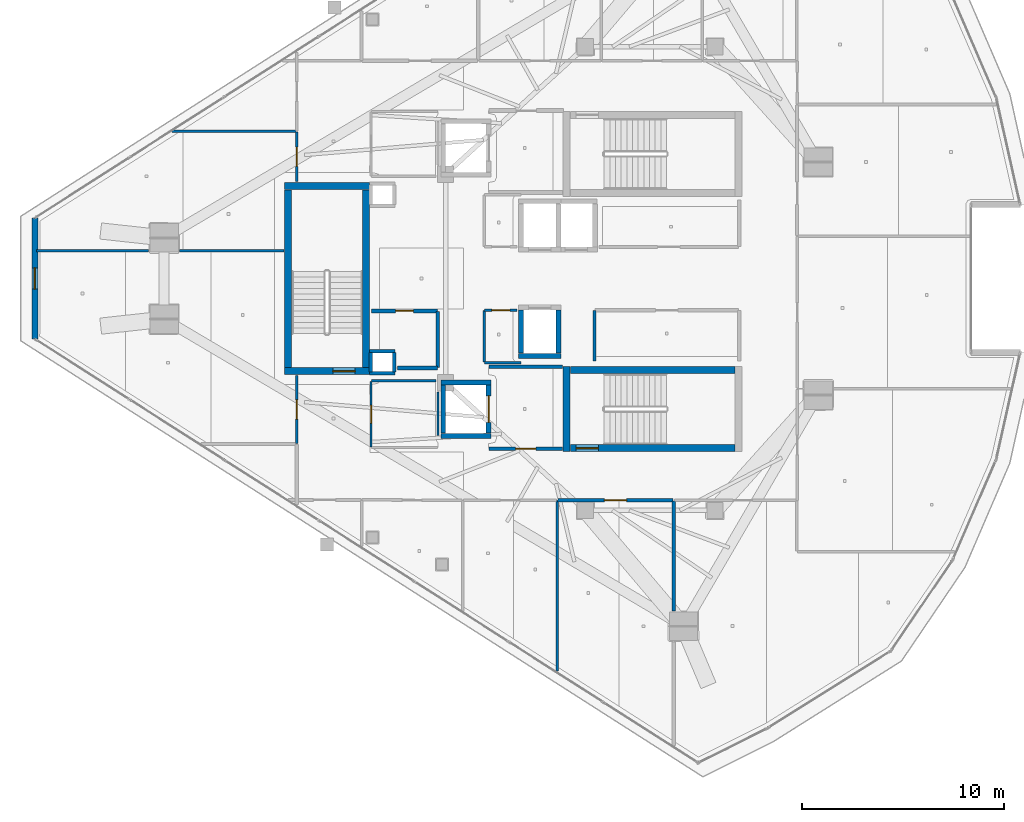
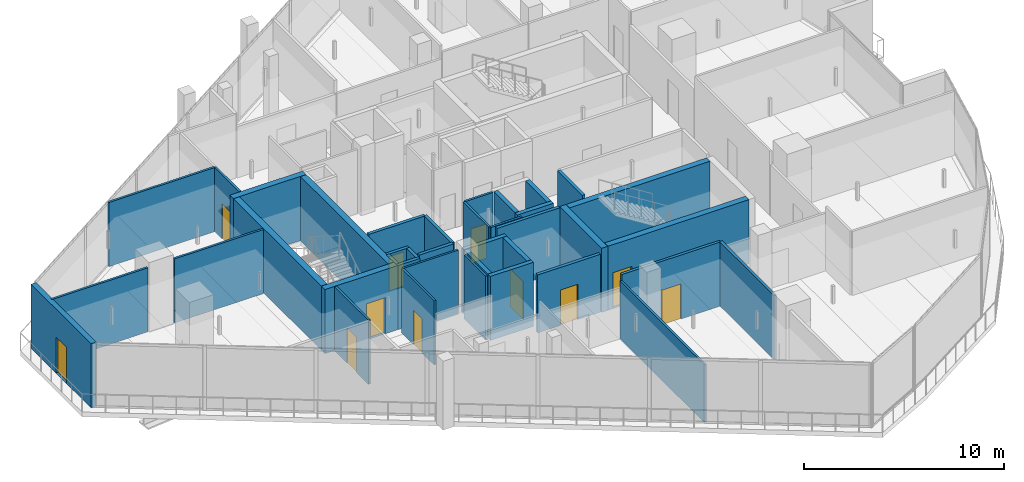
# One storey, part 20 of 29: 39 walls, 11 doors, 11 openings.
"""IFC4 building model written with IfcOpenShell, lengths in metres."""

from ifc_helpers import new_model, si_unit, direction, frame, frame_2d, origin, place, context, subcontext, project, spatial, rectangle, extrude, material, layer, layer_set, type_object, element, fill, save


model = new_model("IFC4")

# Units and contexts
model_context = context("Model", 3, precision=1e-05, world=origin(), true_north=direction((0.0, 1.0)))
body_context = subcontext(model_context, "Body", "Model", "MODEL_VIEW")
ifc_project = project(units=[si_unit("LENGTHUNIT", "METRE"), si_unit("AREAUNIT", "SQUARE_METRE"), si_unit("VOLUMEUNIT", "CUBIC_METRE"), si_unit("PLANEANGLEUNIT", "RADIAN"), si_unit("MASSUNIT", "GRAM", prefix="KILO")], contexts=[model_context])

# Site, building, storey
site_placement = place(None, origin())
site = spatial("IfcSite", under=ifc_project, at=site_placement, CompositionType="ELEMENT")
building_placement = place(site_placement, origin())
building = spatial("IfcBuilding", under=site, at=building_placement, Name="Qorvath Tower", CompositionType="ELEMENT")
storey_placement = place(building_placement, frame((0.0, 0.0, 285.0)))
storey = spatial("IfcBuildingStorey", under=building, at=storey_placement, Name="L66", CompositionType="ELEMENT", Elevation=285.0)

# Walls
ifc_material_1 = material(Name="Gypsum shaftliner on steel studs", Category="steel")
ifc_layer_1 = layer(ifc_material_1, 0.179931640625)
ifc_layer_set_1 = layer_set([ifc_layer_1], Name="FW-LOBBY")
wall_type_1 = type_object("IfcWallType", Name="FW-LOBBY", PredefinedType="PARTITIONING", material=ifc_layer_set_1)
for number, where, z_axis, x_axis, name in (
    (1, (-32.989990234375, -4.675048828125, 0.0), (0.0, 0.0, 1.0), (-1.0, 0.0, 0.0), "MEP Riser Shaft Enclosure Wall S-L66-S"),
    (2, (-34.260009765625, -3.594970703125, 0.0), (0.0, 0.0, 1.0), (1.0, 0.0, 0.0), "MEP Riser Shaft Enclosure Wall S-L66-N"),
):
    element("IfcWall", number, at=place(storey_placement, frame(where, z_axis=z_axis, x_axis=x_axis)), inside=storey, type_object=wall_type_1, Name=name, PredefinedType="PARTITIONING", context=body_context, shape_type="SweptSolid", body=[
        extrude(rectangle(XDim=1.27001953125, YDim=0.179931640625, at=frame_2d((0.635009765625, 0.0))), origin(), (0.0, 0.0, 1.0), 3.909912109375),
    ])
for number, where, z_axis, x_axis, name in (
    (3, (-34.205078125, -4.610107421875, 0.0), (0.0, 0.0, 1.0), (0.0, 1.0, 0.0), "MEP Riser Shaft Enclosure Wall S-L66-W"),
    (4, (-33.044921875, -3.659912109375, 0.0), (0.0, 0.0, 1.0), (0.0, -1.0, 0.0), "MEP Riser Shaft Enclosure Wall S-L66-E"),
):
    element("IfcWall", number, at=place(storey_placement, frame(where, z_axis=z_axis, x_axis=x_axis)), inside=storey, type_object=wall_type_1, Name=name, PredefinedType="PARTITIONING", context=body_context, shape_type="SweptSolid", body=[
        extrude(rectangle(XDim=0.9501953125, YDim=0.179931640625, at=frame_2d((0.47509765625, 0.0))), origin(), (0.0, 0.0, 1.0), 3.909912109375),
    ])

# Wall, opening, door
wall_1_placement = place(storey_placement, frame((-28.35498046875, -8.39990234375, 0.0), z_axis=(0.0, 0.0, 1.0), x_axis=(1.0, 0.0, 0.0)))
wall_1 = element("IfcWall", 5, at=wall_1_placement, inside=storey, type_object=wall_type_1, Name="Interior Partition IW-T1-L66-003", PredefinedType="PARTITIONING", context=body_context, shape_type="SweptSolid", body=[
    extrude(rectangle(XDim=3.6220703125, YDim=0.179931640625, at=frame_2d((1.81103515625, 0.0))), origin(), (0.0, 0.0, 1.0), 3.52880859375),
])
opening_1_placement = place(wall_1_placement, frame((1.31103515625, 0.0, 0.0)))
opening_1 = element("IfcOpeningElement", 6, at=opening_1_placement, cuts=wall_1, Name="Opening D-T1-L66-25", PredefinedType="OPENING", context=body_context, shape_type="SweptSolid", body=[
    extrude(rectangle(XDim=1.0, YDim=2.14990234375, at=frame_2d((0.5, 1.074951171875))), frame((0.0, 0.10009765625, 0.0), z_axis=(0.0, -1.0, 0.0), x_axis=(1.0, 0.0, 0.0)), (0.0, 0.0, 1.0), 0.199951171875),
])
ifc_material_2 = material(Name="Painted galvanised hollow metal", Category="steel")
door_type_1 = type_object("IfcDoorType", Name="FD-60", OperationType="NOTDEFINED", PredefinedType="DOOR", material=ifc_material_2)
door_1_placement = place(opening_1_placement, origin())
door_1 = element("IfcDoor", 7, at=door_1_placement, inside=storey, type_object=door_type_1, Name="Lobby Fire Service Elevator South Door D-T1-L66-25", OperationType="SINGLE_SWING_RIGHT", OverallHeight=2.14990234375, OverallWidth=1.0, PredefinedType="DOOR", context=body_context, shape_type="SweptSolid", body=[
    extrude(rectangle(XDim=1.0, YDim=2.14990234375, at=frame_2d((0.5, 1.074951171875))), frame((0.0, 0.02490234375, 0.0), z_axis=(0.0, -1.0, 0.0), x_axis=(1.0, 0.0, 0.0)), (0.0, 0.0, 1.0), 0.050048828125),
])
fill(opening_1, door_1)

# Walls
wall_2_placement = place(storey_placement, frame((-24.73291015625, -4.35009765625, 0.0), z_axis=(0.0, 0.0, 1.0), x_axis=(-1.0, 0.0, 0.0)))
element("IfcWall", 8, at=wall_2_placement, inside=storey, type_object=wall_type_1, Name="Interior Partition IW-T1-L66-004", PredefinedType="PARTITIONING", context=body_context, shape_type="SweptSolid", body=[
    extrude(rectangle(XDim=3.6220703125, YDim=0.179931640625, at=frame_2d((1.81103515625, 0.0))), origin(), (0.0, 0.0, 1.0), 3.909912109375),
])
wall_3_placement = place(storey_placement, frame((-32.8798828125, -4.419921875, 0.0), z_axis=(0.0, 0.0, 1.0), x_axis=(1.0, 0.0, 0.0)))
element("IfcWall", 9, at=wall_3_placement, inside=storey, type_object=wall_type_1, Name="Interior Partition IW-T1-L66-024", PredefinedType="PARTITIONING", context=body_context, shape_type="SweptSolid", body=[
    extrude(rectangle(XDim=1.97509765625, YDim=0.179931640625, at=frame_2d((0.987548828125, 0.0))), origin(), (0.0, 0.0, 1.0), 3.909912109375),
])
wall_4_placement = place(storey_placement, frame((-30.8798828125, -4.39501953125, 0.0), z_axis=(0.0, 0.0, 1.0), x_axis=(0.0, 1.0, 0.0)))
element("IfcWall", 10, at=wall_4_placement, inside=storey, type_object=wall_type_1, Name="Interior Partition IW-T1-L66-025", PredefinedType="PARTITIONING", context=body_context, shape_type="SweptSolid", body=[
    extrude(rectangle(XDim=2.77001953125, YDim=0.179931640625, at=frame_2d((1.385009765625, 0.0))), origin(), (0.0, 0.0, 1.0), 3.909912109375),
])

# Wall, opening, door
wall_5_placement = place(storey_placement, frame((-30.90478515625, -1.60009765625, 0.0), z_axis=(0.0, 0.0, 1.0), x_axis=(-1.0, 0.0, 0.0)))
wall_5 = element("IfcWall", 11, at=wall_5_placement, inside=storey, type_object=wall_type_1, Name="Interior Partition IW-T1-L66-026", PredefinedType="PARTITIONING", context=body_context, shape_type="SweptSolid", body=[
    extrude(rectangle(XDim=3.25, YDim=0.179931640625, at=frame_2d((1.625, 0.0))), origin(), (0.0, 0.0, 1.0), 3.909912109375),
])
opening_2_placement = place(wall_5_placement, frame((1.18505859375, 0.0, 0.0)))
opening_2 = element("IfcOpeningElement", 12, at=opening_2_placement, cuts=wall_5, Name="Opening D-T1-L66-07", PredefinedType="OPENING", context=body_context, shape_type="SweptSolid", body=[
    extrude(rectangle(XDim=0.8798828125, YDim=2.10009765625, at=frame_2d((0.43994140625, 1.050048828125))), frame((0.0, 0.10009765625, 0.0), z_axis=(0.0, -1.0, 0.0), x_axis=(1.0, 0.0, 0.0)), (0.0, 0.0, 1.0), 0.199951171875),
])
ifc_material_3 = material(Name="Painted galvanised hollow metal", Category="steel")
door_type_2 = type_object("IfcDoorType", Name="FD-60N", OperationType="NOTDEFINED", PredefinedType="DOOR", material=ifc_material_3)
door_2_placement = place(opening_2_placement, origin())
door_2 = element("IfcDoor", 13, at=door_2_placement, inside=storey, type_object=door_type_2, Name="Core cleaner and electrical room L66 Door D-T1-L66-07", OperationType="SINGLE_SWING_RIGHT", OverallHeight=2.10009765625, OverallWidth=0.8798828125, PredefinedType="DOOR", context=body_context, shape_type="SweptSolid", body=[
    extrude(rectangle(XDim=0.8798828125, YDim=2.10009765625, at=frame_2d((0.43994140625, 1.050048828125))), frame((0.0, 0.02490234375, 0.0), z_axis=(0.0, -1.0, 0.0), x_axis=(1.0, 0.0, 0.0)), (0.0, 0.0, 1.0), 0.050048828125),
])
fill(opening_2, door_2)

# Wall
ifc_material_4 = material(Name="Double acoustic gypsum board on steel studs", Category="steel")
ifc_layer_2 = layer(ifc_material_4, 0.159912109375)
ifc_layer_set_2 = layer_set([ifc_layer_2], Name="IW-ACOUSTIC-160")
wall_type_2 = type_object("IfcWallType", Name="IW-ACOUSTIC-160", PredefinedType="PARTITIONING", material=ifc_layer_set_2)
wall_6_placement = place(storey_placement, frame((-23.14990234375, -1.585205078125, 0.0), z_axis=(0.0, 0.0, 1.0), x_axis=(0.0, -1.0, 0.0)))
element("IfcWall", 14, at=wall_6_placement, inside=storey, type_object=wall_type_2, Name="Interior Partition IW-T1-L66-015", PredefinedType="PARTITIONING", context=body_context, shape_type="SweptSolid", body=[
    extrude(rectangle(XDim=2.489990234375, YDim=0.159912109375, at=frame_2d((1.2451171875, 0.0))), origin(), (0.0, 0.0, 1.0), 3.909912109375),
])

# Wall, opening, door
wall_7_placement = place(storey_placement, frame((-19.2578125, -10.951904296875, 0.0), z_axis=(0.0, 0.0, 1.0), x_axis=(-0.999999472273, 0.001027352739, 0.0)))
wall_7 = element("IfcWall", 15, at=wall_7_placement, inside=storey, type_object=wall_type_2, Name="Interior Partition IW-T1-L66-042", PredefinedType="PARTITIONING", context=body_context, shape_type="SweptSolid", body=[
    extrude(rectangle(XDim=5.703369140625, YDim=0.159912109375, at=frame_2d((2.8515625, 0.0))), origin(), (0.0, 0.0, 1.0), 3.909912109375),
])
opening_3_placement = place(wall_7_placement, frame((2.3017578125, 0.0, 0.0)))
opening_3 = element("IfcOpeningElement", 16, at=opening_3_placement, cuts=wall_7, Name="Opening D-T1-L66-14", PredefinedType="OPENING", context=body_context, shape_type="SweptSolid", body=[
    extrude(rectangle(XDim=1.10009765625, YDim=2.14990234375, at=frame_2d((0.550048828125, 1.074951171875))), frame((0.0, 0.08984375, 0.0), z_axis=(0.0, -1.0, 0.0), x_axis=(1.0, 0.0, 0.0)), (0.0, 0.0, 1.0), 0.179931640625),
])
ifc_material_5 = material(Name="Anodised aluminium acoustic framed glass", Category="aluminium")
door_type_3 = type_object("IfcDoorType", Name="D-03", OperationType="NOTDEFINED", PredefinedType="DOOR", material=ifc_material_5)
door_3_placement = place(opening_3_placement, origin())
door_3 = element("IfcDoor", 17, at=door_3_placement, inside=storey, type_object=door_type_3, Name="L66-07 Digital Visualization Suite Door D-T1-L66-14", OperationType="SINGLE_SWING_LEFT", OverallHeight=2.14990234375, OverallWidth=1.10009765625, PredefinedType="DOOR", context=body_context, shape_type="SweptSolid", body=[
    extrude(rectangle(XDim=1.10009765625, YDim=2.14990234375, at=frame_2d((0.550048828125, 1.074951171875))), frame((0.0, 0.02490234375, 0.0), z_axis=(0.0, -1.0, 0.0), x_axis=(1.0, 0.0, 0.0)), (0.0, 0.0, 1.0), 0.050048828125),
])
fill(opening_3, door_3)

# Walls
wall_8_placement = place(storey_placement, frame((-19.232666015625, -16.41064453125, 0.0), z_axis=(0.0, 0.0, 1.0), x_axis=(0.0, 1.0, 0.0)))
element("IfcWall", 18, at=wall_8_placement, inside=storey, type_object=wall_type_2, Name="Interior Partition IW-T1-L66-044", PredefinedType="PARTITIONING", context=body_context, shape_type="SweptSolid", body=[
    extrude(rectangle(XDim=5.433837890625, YDim=0.159912109375, at=frame_2d((2.716796875, 0.0))), origin(), (0.0, 0.0, 1.0), 3.909912109375),
])
ifc_material_6 = material(Name="Gypsum board on metal studs with mineral wool", Category="gypsum")
ifc_layer_3 = layer(ifc_material_6, 0.125)
ifc_layer_set_3 = layer_set([ifc_layer_3], Name="IW-PART-125")
wall_type_3 = type_object("IfcWallType", Name="IW-PART-125", PredefinedType="PARTITIONING", material=ifc_layer_set_3)
wall_9_placement = place(storey_placement, frame((-28.60009765625, -1.585205078125, 0.0), z_axis=(0.0, 0.0, 1.0), x_axis=(0.0, -1.0, 0.0)))
element("IfcWall", 19, at=wall_9_placement, inside=storey, type_object=wall_type_3, Name="Interior Partition IW-T1-L66-021", PredefinedType="PARTITIONING", context=body_context, shape_type="SweptSolid", body=[
    extrude(rectangle(XDim=2.539794921875, YDim=0.125, at=frame_2d((1.27001953125, 0.0))), origin(), (0.0, 0.0, 1.0), 3.909912109375),
])
wall_10_placement = place(storey_placement, frame((-28.5751953125, -4.14990234375, 0.0), z_axis=(0.0, 0.0, 1.0), x_axis=(1.0, 0.0, 0.0)))
element("IfcWall", 20, at=wall_10_placement, inside=storey, type_object=wall_type_3, Name="Interior Partition IW-T1-L66-022", PredefinedType="PARTITIONING", context=body_context, shape_type="SweptSolid", body=[
    extrude(rectangle(XDim=1.80029296875, YDim=0.125, at=frame_2d((0.900146484375, 0.0))), origin(), (0.0, 0.0, 1.0), 3.909912109375),
])

# Wall, opening, door
wall_11_placement = place(storey_placement, frame((-26.966064453125, -1.56005859375, 0.0), z_axis=(0.0, 0.0, 1.0), x_axis=(-1.0, 0.0, 0.0)))
wall_11 = element("IfcWall", 21, at=wall_11_placement, inside=storey, type_object=wall_type_3, Name="Interior Partition IW-T1-L66-023", PredefinedType="PARTITIONING", context=body_context, shape_type="SweptSolid", body=[
    extrude(rectangle(XDim=1.609130859375, YDim=0.125, at=frame_2d((0.8046875, 0.0))), origin(), (0.0, 0.0, 1.0), 3.909912109375),
])
opening_4_placement = place(wall_11_placement, frame((0.364501953125, 0.0, 0.0)))
opening_4 = element("IfcOpeningElement", 22, at=opening_4_placement, cuts=wall_11, Name="Opening D-T1-L66-06", PredefinedType="OPENING", context=body_context, shape_type="SweptSolid", body=[
    extrude(rectangle(XDim=0.8798828125, YDim=2.10009765625, at=frame_2d((0.43994140625, 1.050048828125))), frame((0.0, 0.072509765625, 0.0), z_axis=(0.0, -1.0, 0.0), x_axis=(1.0, 0.0, 0.0)), (0.0, 0.0, 1.0), 0.14501953125),
])
ifc_material_7 = material(Name="Solid-core oak with acoustic drop seal", Category="wood")
door_type_4 = type_object("IfcDoorType", Name="D-02", OperationType="NOTDEFINED", PredefinedType="DOOR", material=ifc_material_7)
door_4_placement = place(opening_4_placement, origin())
door_4 = element("IfcDoor", 23, at=door_4_placement, inside=storey, type_object=door_type_4, Name="L66-RCWS Executive Archive Suite Door D-T1-L66-06", OperationType="SINGLE_SWING_LEFT", OverallHeight=2.10009765625, OverallWidth=0.8798828125, PredefinedType="DOOR", context=body_context, shape_type="SweptSolid", body=[
    extrude(rectangle(XDim=0.8798828125, YDim=2.10009765625, at=frame_2d((0.43994140625, 1.050048828125))), frame((0.0, 0.02490234375, 0.0), z_axis=(0.0, -1.0, 0.0), x_axis=(1.0, 0.0, 0.0)), (0.0, 0.0, 1.0), 0.050048828125),
])
fill(opening_4, door_4)

# Wall
wall_12_placement = place(storey_placement, frame((-24.994140625, -19.393798828125, 0.0), z_axis=(0.0, 0.0, 1.0), x_axis=(0.0, 1.0, 0.0)))
element("IfcWall", 24, at=wall_12_placement, inside=storey, type_object=wall_type_3, Name="Interior Partition IW-T1-L66-041", PredefinedType="PARTITIONING", context=body_context, shape_type="SweptSolid", body=[
    extrude(rectangle(XDim=8.4228515625, YDim=0.125, at=frame_2d((4.21142578125, 0.0))), origin(), (0.0, 0.0, 1.0), 3.52880859375),
])

# Wall, opening, door
wall_13_placement = place(storey_placement, frame((-37.85791015625, -8.144287109375, 0.0), z_axis=(0.0, 0.0, 1.0), x_axis=(0.0, 1.0, 0.0)))
wall_13 = element("IfcWall", 25, at=wall_13_placement, inside=storey, type_object=wall_type_3, Name="Interior Partition IW-T1-L66-058", PredefinedType="PARTITIONING", context=body_context, shape_type="SweptSolid", body=[
    extrude(rectangle(XDim=3.361083984375, YDim=0.125, at=frame_2d((1.6806640625, 0.0))), origin(), (0.0, 0.0, 1.0), 3.909912109375),
])
opening_5_placement = place(wall_13_placement, frame((1.20556640625, 0.0, 0.0)))
opening_5 = element("IfcOpeningElement", 26, at=opening_5_placement, cuts=wall_13, Name="Opening D-T1-L66-21", PredefinedType="OPENING", context=body_context, shape_type="SweptSolid", body=[
    extrude(rectangle(XDim=0.949951171875, YDim=2.14990234375, at=frame_2d((0.47509765625, 1.074951171875))), frame((0.0, 0.072509765625, 0.0), z_axis=(0.0, -1.0, 0.0), x_axis=(1.0, 0.0, 0.0)), (0.0, 0.0, 1.0), 0.14501953125),
])
ifc_material_8 = material(Name="Solid-core American white oak veneer", Category="wood")
door_type_5 = type_object("IfcDoorType", Name="D-01", OperationType="NOTDEFINED", PredefinedType="DOOR", material=ifc_material_8)
door_5_placement = place(opening_5_placement, origin())
door_5 = element("IfcDoor", 27, at=door_5_placement, inside=storey, type_object=door_type_5, Name="L66-14 Project Collaboration Workspace Door D-T1-L66-21", OperationType="SINGLE_SWING_RIGHT", OverallHeight=2.14990234375, OverallWidth=0.949951171875, PredefinedType="DOOR", context=body_context, shape_type="SweptSolid", body=[
    extrude(rectangle(XDim=0.949951171875, YDim=2.14990234375, at=frame_2d((0.47509765625, 1.074951171875))), frame((0.0, 0.02490234375, 0.0), z_axis=(0.0, -1.0, 0.0), x_axis=(1.0, 0.0, 0.0)), (0.0, 0.0, 1.0), 0.050048828125),
])
fill(opening_5, door_5)

# Walls
wall_14_placement = place(storey_placement, frame((-38.492919921875, 1.378662109375, 0.0), z_axis=(0.0, 0.0, 1.0), x_axis=(-0.999999944823, 0.000332194363, 0.0)))
element("IfcWall", 28, at=wall_14_placement, inside=storey, type_object=wall_type_3, Name="Interior Partition IW-T1-L66-059", PredefinedType="PARTITIONING", context=body_context, shape_type="SweptSolid", body=[
    extrude(rectangle(XDim=5.14453125, YDim=0.125, at=frame_2d((2.572265625, 0.0))), origin(), (0.0, 0.0, 1.0), 3.909912109375),
])
wall_15_placement = place(storey_placement, frame((-45.16748046875, 1.38037109375, 0.0), z_axis=(0.0, 0.0, 1.0), x_axis=(-0.999999809396, -0.000617419948, 0.0)))
element("IfcWall", 29, at=wall_15_placement, inside=storey, type_object=wall_type_3, Name="Interior Partition IW-T1-L66-060", PredefinedType="PARTITIONING", context=body_context, shape_type="SweptSolid", body=[
    extrude(rectangle(XDim=5.535888671875, YDim=0.125, at=frame_2d((2.76806640625, 0.0))), origin(), (0.0, 0.0, 1.0), 3.909912109375),
])

# Wall, opening, door
wall_16_placement = place(storey_placement, frame((-37.85791015625, 4.783203125, 0.0), z_axis=(0.0, 0.0, 1.0), x_axis=(0.0, 1.0, 0.0)))
wall_16 = element("IfcWall", 30, at=wall_16_placement, inside=storey, type_object=wall_type_3, Name="Interior Partition IW-T1-L66-061", PredefinedType="PARTITIONING", context=body_context, shape_type="SweptSolid", body=[
    extrude(rectangle(XDim=2.459716796875, YDim=0.125, at=frame_2d((1.22998046875, 0.0))), origin(), (0.0, 0.0, 1.0), 3.909912109375),
])
opening_6_placement = place(wall_16_placement, frame((0.7548828125, 0.0, 0.0)))
opening_6 = element("IfcOpeningElement", 31, at=opening_6_placement, cuts=wall_16, Name="Opening D-T1-L66-22", PredefinedType="OPENING", context=body_context, shape_type="SweptSolid", body=[
    extrude(rectangle(XDim=0.949951171875, YDim=2.14990234375, at=frame_2d((0.47509765625, 1.074951171875))), frame((0.0, 0.072509765625, 0.0), z_axis=(0.0, -1.0, 0.0), x_axis=(1.0, 0.0, 0.0)), (0.0, 0.0, 1.0), 0.14501953125),
])
door_6_placement = place(opening_6_placement, origin())
door_6 = element("IfcDoor", 32, at=door_6_placement, inside=storey, type_object=door_type_5, Name="L66-15 Design Pin-Up Atelier Door D-T1-L66-22", OperationType="SINGLE_SWING_LEFT", OverallHeight=2.14990234375, OverallWidth=0.949951171875, PredefinedType="DOOR", context=body_context, shape_type="SweptSolid", body=[
    extrude(rectangle(XDim=0.949951171875, YDim=2.14990234375, at=frame_2d((0.47509765625, 1.074951171875))), frame((0.0, 0.02490234375, 0.0), z_axis=(0.0, -1.0, 0.0), x_axis=(1.0, 0.0, 0.0)), (0.0, 0.0, 1.0), 0.050048828125),
])
fill(opening_6, door_6)

# Walls
wall_17_placement = place(storey_placement, frame((-37.8828125, 7.267822265625, 0.0), z_axis=(0.0, 0.0, 1.0), x_axis=(-1.0, 0.0, 0.0)))
element("IfcWall", 33, at=wall_17_placement, inside=storey, type_object=wall_type_3, Name="Interior Partition IW-T1-L66-062", PredefinedType="PARTITIONING", context=body_context, shape_type="SweptSolid", body=[
    extrude(rectangle(XDim=6.129150390625, YDim=0.125, at=frame_2d((3.064453125, 0.0))), origin(), (0.0, 0.0, 1.0), 3.909912109375),
])
ifc_material_9 = material(Name="Moisture-resistant cement board on metal studs", Category="gypsum")
ifc_layer_4 = layer(ifc_material_9, 0.110107421875)
ifc_layer_set_4 = layer_set([ifc_layer_4], Name="IW-WC-110")
wall_type_4 = type_object("IfcWallType", Name="IW-WC-110", PredefinedType="PARTITIONING", material=ifc_layer_set_4)
wall_18_placement = place(storey_placement, frame((-30.8798828125, -7.742919921875, 0.0), z_axis=(0.0, 0.0, 1.0), x_axis=(0.0, 1.0, 0.0)))
element("IfcWall", 34, at=wall_18_placement, inside=storey, type_object=wall_type_4, Name="Interior Partition IW-T1-L66-010", PredefinedType="PARTITIONING", context=body_context, shape_type="SweptSolid", body=[
    extrude(rectangle(XDim=2.1279296875, YDim=0.110107421875, at=frame_2d((1.06396484375, 0.0))), origin(), (0.0, 0.0, 1.0), 3.909912109375),
])
wall_19_placement = place(storey_placement, frame((-30.965087890625, -5.050048828125, 0.0), z_axis=(0.0, 0.0, 1.0), x_axis=(-1.0, 0.0, 0.0)))
element("IfcWall", 35, at=wall_19_placement, inside=storey, type_object=wall_type_4, Name="Interior Partition IW-T1-L66-011", PredefinedType="PARTITIONING", context=body_context, shape_type="SweptSolid", body=[
    extrude(rectangle(XDim=3.189697265625, YDim=0.110107421875, at=frame_2d((1.5947265625, 0.0))), origin(), (0.0, 0.0, 1.0), 3.909912109375),
])

# Wall, opening, door
wall_20_placement = place(storey_placement, frame((-34.179931640625, -5.074951171875, 0.0), z_axis=(0.0, 0.0, 1.0), x_axis=(0.0, -1.0, 0.0)))
wall_20 = element("IfcWall", 36, at=wall_20_placement, inside=storey, type_object=wall_type_4, Name="Interior Partition IW-T1-L66-012", PredefinedType="PARTITIONING", context=body_context, shape_type="SweptSolid", body=[
    extrude(rectangle(XDim=3.250244140625, YDim=0.110107421875, at=frame_2d((1.625, 0.0))), origin(), (0.0, 0.0, 1.0), 3.909912109375),
])
opening_7_placement = place(wall_20_placement, frame((1.18505859375, 0.0, 0.0)))
opening_7 = element("IfcOpeningElement", 37, at=opening_7_placement, cuts=wall_20, Name="Opening D-T1-L66-02", PredefinedType="OPENING", context=body_context, shape_type="SweptSolid", body=[
    extrude(rectangle(XDim=0.8798828125, YDim=2.10009765625, at=frame_2d((0.43994140625, 1.050048828125))), frame((0.0, 0.06494140625, 0.0), z_axis=(0.0, -1.0, 0.0), x_axis=(1.0, 0.0, 0.0)), (0.0, 0.0, 1.0), 0.130126953125),
])
door_7_placement = place(opening_7_placement, origin())
door_7 = element("IfcDoor", 38, at=door_7_placement, inside=storey, type_object=door_type_4, Name="WC All-Gender South L66 Door D-T1-L66-02", OperationType="SINGLE_SWING_LEFT", OverallHeight=2.10009765625, OverallWidth=0.8798828125, PredefinedType="DOOR", context=body_context, shape_type="SweptSolid", body=[
    extrude(rectangle(XDim=0.8798828125, YDim=2.10009765625, at=frame_2d((0.43994140625, 1.050048828125))), frame((0.0, 0.02490234375, 0.0), z_axis=(0.0, -1.0, 0.0), x_axis=(1.0, 0.0, 0.0)), (0.0, 0.0, 1.0), 0.050048828125),
])
fill(opening_7, door_7)

# Walls
ifc_material_10 = material(Name="Concrete C60/75", Category="concrete")
ifc_layer_5 = layer(ifc_material_10, 0.260009765625)
ifc_layer_set_5 = layer_set([ifc_layer_5], Name="SW-SHAFT")
wall_type_5 = type_object("IfcWallType", Name="SW-SHAFT", PredefinedType="SHEAR", material=ifc_layer_set_5)
for number, where, z_axis, x_axis, name in (
    (39, (-28.260009765625, -7.77001953125, 0.0), (0.0, 0.0, 1.0), (-1.0, 0.0, 0.0), "Hoistway Wall FSAE-2 L66 S"),
    (40, (-30.739990234375, -5.1298828125, 0.0), (0.0, 0.0, 1.0), (1.0, 0.0, 0.0), "Hoistway Wall FSAE-2 L66 N"),
):
    element("IfcWall", number, at=place(storey_placement, frame(where, z_axis=z_axis, x_axis=x_axis)), inside=storey, type_object=wall_type_5, Name=name, PredefinedType="SHEAR", context=body_context, shape_type="SweptSolid", body=[
        extrude(rectangle(XDim=2.47998046875, YDim=0.239990234375, at=frame_2d((1.239990234375, 0.0))), origin(), (0.0, 0.0, 1.0), 3.909912109375),
    ])
wall_21_placement = place(storey_placement, frame((-30.6201171875, -7.637939453125, 0.0), z_axis=(0.0, 0.0, 1.0), x_axis=(0.0, 1.0, 0.0)))
element("IfcWall", 41, at=wall_21_placement, inside=storey, type_object=wall_type_5, Name="Hoistway Wall FSAE-2 L66 W", PredefinedType="SHEAR", context=body_context, shape_type="SweptSolid", body=[
    extrude(rectangle(XDim=2.3759765625, YDim=0.239990234375, at=frame_2d((1.18798828125, 0.0))), origin(), (0.0, 0.0, 1.0), 3.909912109375),
])

# Wall, opening, door
wall_22_placement = place(storey_placement, frame((-28.3798828125, -5.261962890625, 0.0), z_axis=(0.0, 0.0, 1.0), x_axis=(0.0, -1.0, 0.0)))
wall_22 = element("IfcWall", 42, at=wall_22_placement, inside=storey, type_object=wall_type_5, Name="Hoistway Wall FSAE-2 L66 E", PredefinedType="SHEAR", context=body_context, shape_type="SweptSolid", body=[
    extrude(rectangle(XDim=2.3759765625, YDim=0.239990234375, at=frame_2d((1.18798828125, 0.0))), origin(), (0.0, 0.0, 1.0), 3.909912109375),
])
opening_8_placement = place(wall_22_placement, frame((0.5380859375, 0.0, 0.0)))
opening_8 = element("IfcOpeningElement", 43, at=opening_8_placement, cuts=wall_22, Name="Opening LD-FSAE-2-L66", PredefinedType="OPENING", context=body_context, shape_type="SweptSolid", body=[
    extrude(rectangle(XDim=1.300048828125, YDim=2.300048828125, at=frame_2d((0.64990234375, 1.14990234375))), frame((0.0, 0.1298828125, 0.0), z_axis=(0.0, -1.0, 0.0), x_axis=(1.0, 0.0, 0.0)), (0.0, 0.0, 1.0), 0.260009765625),
])
ifc_material_11 = material(Name="Brushed stainless steel AISI 316", Category="steel")
door_type_6 = type_object("IfcDoorType", Name="LD-02", OperationType="NOTDEFINED", PredefinedType="DOOR", material=ifc_material_11)
door_8_placement = place(opening_8_placement, origin())
door_8 = element("IfcDoor", 44, at=door_8_placement, inside=storey, type_object=door_type_6, Name="Elevator Landing Sliding Door LD-FSAE-2-L66", OperationType="DOUBLE_DOOR_SLIDING", OverallHeight=2.300048828125, OverallWidth=1.300048828125, PredefinedType="DOOR", context=body_context, shape_type="SweptSolid", body=[
    extrude(rectangle(XDim=1.300048828125, YDim=2.300048828125, at=frame_2d((0.64990234375, 1.14990234375))), frame((0.0, 0.02490234375, 0.0), z_axis=(0.0, -1.0, 0.0), x_axis=(1.0, 0.0, 0.0)), (0.0, 0.0, 1.0), 0.050048828125),
])
fill(opening_8, door_8)

# Walls
wall_23_placement = place(storey_placement, frame((-24.81005859375, -3.820068359375, 0.0), z_axis=(0.0, 0.0, 1.0), x_axis=(-1.0, 0.0, 0.0)))
element("IfcWall", 45, at=wall_23_placement, inside=storey, type_object=wall_type_5, Name="Hoistway Wall PH-3 L66 S", PredefinedType="SHEAR", context=body_context, shape_type="SweptSolid", body=[
    extrude(rectangle(XDim=2.079833984375, YDim=0.239990234375, at=frame_2d((1.0400390625, 0.0))), origin(), (0.0, 0.0, 1.0), 3.909912109375),
])
for number, where, z_axis, x_axis, name in (
    (46, (-26.77001953125, -3.68798828125, 0.0), (0.0, 0.0, 1.0), (0.0, 1.0, 0.0), "Hoistway Wall PH-3 L66 W"),
    (47, (-24.929931640625, -1.56201171875, 0.0), (0.0, 0.0, 1.0), (0.0, -1.0, 0.0), "Hoistway Wall PH-3 L66 E"),
):
    element("IfcWall", number, at=place(storey_placement, frame(where, z_axis=z_axis, x_axis=x_axis)), inside=storey, type_object=wall_type_5, Name=name, PredefinedType="SHEAR", context=body_context, shape_type="SweptSolid", body=[
        extrude(rectangle(XDim=2.1259765625, YDim=0.239990234375, at=frame_2d((1.06298828125, 0.0))), origin(), (0.0, 0.0, 1.0), 3.909912109375),
    ])
ifc_material_12 = material(Name="Concrete C60/75", Category="concrete")
ifc_layer_6 = layer(ifc_material_12, 0.35009765625)
ifc_layer_set_6 = layer_set([ifc_layer_6], Name="SW-STAIR")
wall_type_6 = type_object("IfcWallType", Name="SW-STAIR", PredefinedType="SHEAR", material=ifc_layer_set_6)
wall_24_placement = place(storey_placement, frame((-24.52490234375, -4.340087890625, 0.0), z_axis=(0.0, 0.0, 1.0), x_axis=(0.0, -1.0, 0.0)))
element("IfcWall", 48, at=wall_24_placement, inside=storey, type_object=wall_type_6, Name="Stair TS2 Shear Wall L66 NEAR", PredefinedType="SHEAR", context=body_context, shape_type="SweptSolid", body=[
    extrude(rectangle(XDim=4.2099609375, YDim=0.35009765625, at=frame_2d((2.10498046875, 0.0))), origin(), (0.0, 0.0, 1.0), 3.909912109375),
])

# Wall, opening, door
wall_25_placement = place(storey_placement, frame((-24.3349609375, -8.375, 0.0), z_axis=(0.0, 0.0, 1.0), x_axis=(1.0, 0.0, 0.0)))
wall_25 = element("IfcWall", 49, at=wall_25_placement, inside=storey, type_object=wall_type_6, Name="Stair TS2 Shear Wall L66 LEFT", PredefinedType="SHEAR", context=body_context, shape_type="SweptSolid", body=[
    extrude(rectangle(XDim=8.119873046875, YDim=0.35009765625, at=frame_2d((4.06005859375, 0.0))), origin(), (0.0, 0.0, 1.0), 3.909912109375),
])
opening_9_placement = place(wall_25_placement, frame((0.280029296875, 0.0, 0.0)))
opening_9 = element("IfcOpeningElement", 50, at=opening_9_placement, cuts=wall_25, Name="Opening D-TS2-L66", PredefinedType="OPENING", context=body_context, shape_type="SweptSolid", body=[
    extrude(rectangle(XDim=1.10009765625, YDim=2.199951171875, at=frame_2d((0.550048828125, 1.10009765625))), frame((0.0, 0.18505859375, 0.0), z_axis=(0.0, -1.0, 0.0), x_axis=(1.0, 0.0, 0.0)), (0.0, 0.0, 1.0), 0.3701171875),
])
ifc_material_13 = material(Name="Painted galvanised hollow metal", Category="steel")
door_type_7 = type_object("IfcDoorType", Name="FD-90", OperationType="NOTDEFINED", PredefinedType="DOOR", material=ifc_material_13)
door_9_placement = place(opening_9_placement, origin())
door_9 = element("IfcDoor", 51, at=door_9_placement, inside=storey, type_object=door_type_7, Name="Stair TS2 Fire Door L66", OperationType="SINGLE_SWING_LEFT", OverallHeight=2.199951171875, OverallWidth=1.10009765625, PredefinedType="DOOR", context=body_context, shape_type="SweptSolid", body=[
    extrude(rectangle(XDim=1.10009765625, YDim=2.199951171875, at=frame_2d((0.550048828125, 1.10009765625))), frame((0.0, 0.02490234375, 0.0), z_axis=(0.0, -1.0, 0.0), x_axis=(1.0, 0.0, 0.0)), (0.0, 0.0, 1.0), 0.050048828125),
])
fill(opening_9, door_9)

# Wall
wall_26_placement = place(storey_placement, frame((-16.215087890625, -4.514892578125, 0.0), z_axis=(0.0, 0.0, 1.0), x_axis=(-1.0, 0.0, 0.0)))
element("IfcWall", 52, at=wall_26_placement, inside=storey, type_object=wall_type_6, Name="Stair TS2 Shear Wall L66 RIGHT", PredefinedType="SHEAR", context=body_context, shape_type="SweptSolid", body=[
    extrude(rectangle(XDim=8.119873046875, YDim=0.35009765625, at=frame_2d((4.06005859375, 0.0))), origin(), (0.0, 0.0, 1.0), 3.909912109375),
])

# Wall, opening, door
wall_27_placement = place(storey_placement, frame((-38.4599609375, -4.574951171875, 0.0), z_axis=(0.0, 0.0, 1.0), x_axis=(1.0, 0.0, 0.0)))
wall_27 = element("IfcWall", 53, at=wall_27_placement, inside=storey, type_object=wall_type_6, Name="Stair TS3 Shear Wall L66 NEAR", PredefinedType="SHEAR", context=body_context, shape_type="SweptSolid", body=[
    extrude(rectangle(XDim=4.2099609375, YDim=0.35009765625, at=frame_2d((2.10498046875, 0.0))), origin(), (0.0, 0.0, 1.0), 3.909912109375),
])
opening_10_placement = place(wall_27_placement, frame((2.389892578125, 0.0, 0.0)))
opening_10 = element("IfcOpeningElement", 54, at=opening_10_placement, cuts=wall_27, Name="Opening D-TS3-L66", PredefinedType="OPENING", context=body_context, shape_type="SweptSolid", body=[
    extrude(rectangle(XDim=1.10009765625, YDim=2.199951171875, at=frame_2d((0.550048828125, 1.10009765625))), frame((0.0, 0.18505859375, 0.0), z_axis=(0.0, -1.0, 0.0), x_axis=(1.0, 0.0, 0.0)), (0.0, 0.0, 1.0), 0.3701171875),
])
door_10_placement = place(opening_10_placement, origin())
door_10 = element("IfcDoor", 55, at=door_10_placement, inside=storey, type_object=door_type_7, Name="Stair TS3 Fire Door L66", OperationType="SINGLE_SWING_LEFT", OverallHeight=2.199951171875, OverallWidth=1.10009765625, PredefinedType="DOOR", context=body_context, shape_type="SweptSolid", body=[
    extrude(rectangle(XDim=1.10009765625, YDim=2.199951171875, at=frame_2d((0.550048828125, 1.10009765625))), frame((0.0, 0.02490234375, 0.0), z_axis=(0.0, -1.0, 0.0), x_axis=(1.0, 0.0, 0.0)), (0.0, 0.0, 1.0), 0.050048828125),
])
fill(opening_10, door_10)

# Walls
wall_28_placement = place(storey_placement, frame((-34.25, 4.574951171875, 0.0), z_axis=(0.0, 0.0, 1.0), x_axis=(-1.0, 0.0, 0.0)))
element("IfcWall", 56, at=wall_28_placement, inside=storey, type_object=wall_type_6, Name="Stair TS3 Shear Wall L66 FAR", PredefinedType="SHEAR", context=body_context, shape_type="SweptSolid", body=[
    extrude(rectangle(XDim=4.2099609375, YDim=0.35009765625, at=frame_2d((2.10498046875, 0.0))), origin(), (0.0, 0.0, 1.0), 3.909912109375),
])
for number, where, z_axis, x_axis, name in (
    (57, (-34.425048828125, -4.385009765625, 0.0), (0.0, 0.0, 1.0), (0.0, 1.0, 0.0), "Stair TS3 Shear Wall L66 LEFT"),
    (58, (-38.284912109375, 4.385009765625, 0.0), (0.0, 0.0, 1.0), (0.0, -1.0, 0.0), "Stair TS3 Shear Wall L66 RIGHT"),
):
    element("IfcWall", number, at=place(storey_placement, frame(where, z_axis=z_axis, x_axis=x_axis)), inside=storey, type_object=wall_type_6, Name=name, PredefinedType="SHEAR", context=body_context, shape_type="SweptSolid", body=[
        extrude(rectangle(XDim=8.77001953125, YDim=0.35009765625, at=frame_2d((4.385009765625, 0.0))), origin(), (0.0, 0.0, 1.0), 3.909912109375),
    ])

# Wall, opening, door
ifc_material_14 = material(Name="Precast concrete C45/55", Category="concrete")
ifc_layer_7 = layer(ifc_material_14, 0.300048828125)
ifc_layer_set_7 = layer_set([ifc_layer_7], Name="WL-EW-LOG-300")
wall_type_7 = type_object("IfcWallType", Name="WL-EW-LOG-300", PredefinedType="SOLIDWALL", material=ifc_layer_set_7)
wall_29_placement = place(storey_placement, frame((-50.783203125, -2.9912109375, 0.0), z_axis=(0.0, 0.0, 1.0), x_axis=(0.0, 1.0, 0.0)))
wall_29 = element("IfcWall", 59, at=wall_29_placement, inside=storey, type_object=wall_type_7, Name="Tower Precast Loggia Wall L66-1.1", PredefinedType="SOLIDWALL", context=body_context, shape_type="SweptSolid", body=[
    extrude(rectangle(XDim=5.982421875, YDim=0.300048828125, at=frame_2d((2.9912109375, 0.0))), origin(), (0.0, 0.0, 1.0), 3.909912109375),
])
opening_11_placement = place(wall_29_placement, frame((2.46630859375, 0.0, 0.0)))
opening_11 = element("IfcOpeningElement", 60, at=opening_11_placement, cuts=wall_29, Name="Opening ED-L66-01", PredefinedType="OPENING", context=body_context, shape_type="SweptSolid", body=[
    extrude(rectangle(XDim=1.050048828125, YDim=2.199951171875, at=frame_2d((0.52490234375, 1.10009765625))), frame((0.0, 0.16015625, 0.0), z_axis=(0.0, -1.0, 0.0), x_axis=(1.0, 0.0, 0.0)), (0.0, 0.0, 1.0), 0.320068359375),
])
ifc_material_15 = material(Name="Thermally broken aluminium glazed door", Category="aluminium")
door_type_8 = type_object("IfcDoorType", Name="ED-LOG", OperationType="NOTDEFINED", PredefinedType="DOOR", material=ifc_material_15)
door_11_placement = place(opening_11_placement, origin())
door_11 = element("IfcDoor", 61, at=door_11_placement, inside=storey, type_object=door_type_8, Name="L66 Recessed Loggia Access Door 1", OperationType="SINGLE_SWING_RIGHT", OverallHeight=2.199951171875, OverallWidth=1.050048828125, PredefinedType="DOOR", context=body_context, shape_type="SweptSolid", body=[
    extrude(rectangle(XDim=1.050048828125, YDim=2.199951171875, at=frame_2d((0.52490234375, 1.10009765625))), frame((0.0, 0.02490234375, 0.0), z_axis=(0.0, -1.0, 0.0), x_axis=(1.0, 0.0, 0.0)), (0.0, 0.0, 1.0), 0.050048828125),
])
fill(opening_11, door_11)

save(model, "model.ifc")
